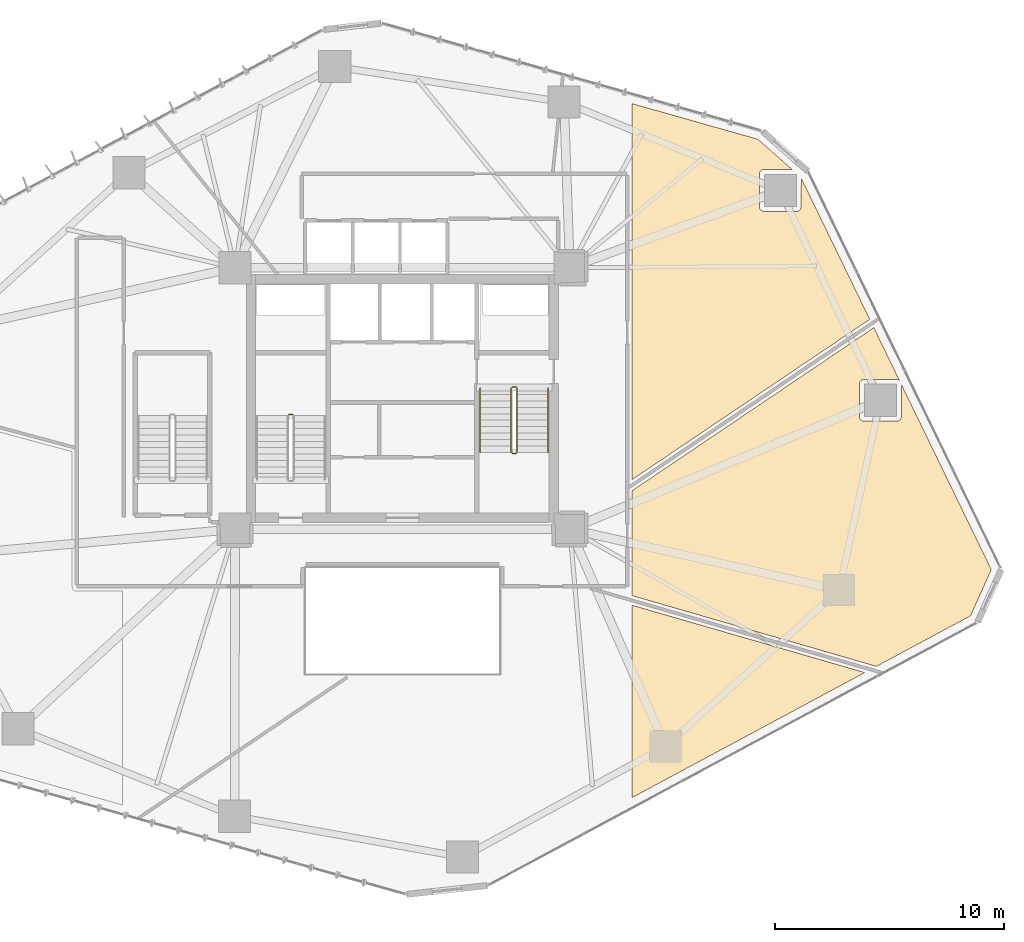
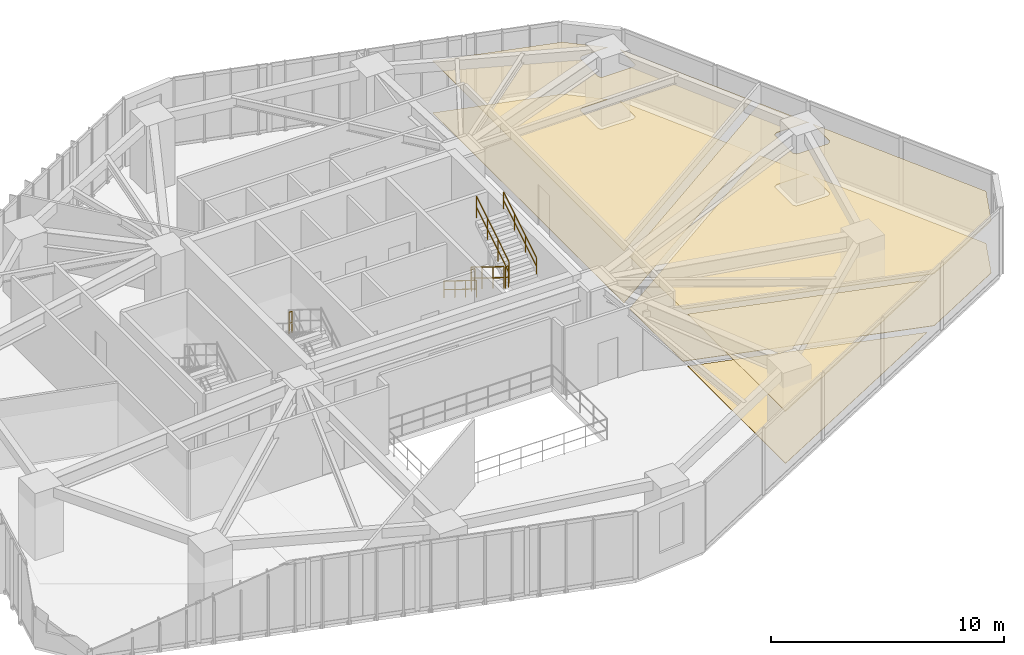
# One storey, part 23 of 24: 7 railings, 6 coverings.
"""IFC4 building model written with IfcOpenShell, lengths in metres."""

from ifc_helpers import new_model, si_unit, direction, frame, origin, origin_2d, place, context, subcontext, project, spatial, polyline, circle, outline, extrude, material, layer, layer_set, type_object, element, save


model = new_model("IFC4")

# Units and contexts
model_context = context("Model", 3, precision=1e-05, world=origin(), true_north=direction((0.0, 1.0)))
body_context = subcontext(model_context, "Body", "Model", "MODEL_VIEW")
ifc_project = project(units=[si_unit("LENGTHUNIT", "METRE"), si_unit("AREAUNIT", "SQUARE_METRE"), si_unit("VOLUMEUNIT", "CUBIC_METRE"), si_unit("PLANEANGLEUNIT", "RADIAN"), si_unit("MASSUNIT", "GRAM", prefix="KILO")], contexts=[model_context])

# Site, building, storey
site_placement = place(None, origin())
site = spatial("IfcSite", under=ifc_project, at=site_placement, CompositionType="ELEMENT")
building_placement = place(site_placement, origin())
building = spatial("IfcBuilding", under=site, at=building_placement, Name="Talar Marvaseh", CompositionType="ELEMENT")
storey_placement = place(building_placement, frame((0.0, 0.0, 43.0)))
storey = spatial("IfcBuildingStorey", under=building, at=storey_placement, Name="L10", CompositionType="ELEMENT", Elevation=43.0)

# Railings
ifc_material_1 = material(Name="Stainless Steel Grade 316", Category="steel")
railing_type_1 = type_object("IfcRailingType", Name="Brushed Stainless Wall Pitch Handrail 900", PredefinedType="HANDRAIL", material=ifc_material_1)
railing_1_placement = place(storey_placement, frame((29.389892578125, 31.64990234375, 0.172607421875)))
element("IfcRailing", 1, at=railing_1_placement, inside=storey, type_object=railing_type_1, Name="L10 ST-2 stair handrail 1", PredefinedType="HANDRAIL", context=body_context, shape_type="SweptSolid", body=[
    extrude(circle(Radius=0.02392578125, at=origin_2d()), frame((0.0, 0.0, 0.8759765625), z_axis=(0.0, -0.851069175582, 0.525053576669), x_axis=(1.0, 0.0, 0.0)), (0.0, 0.0, 1.0), 3.289794921875),
    extrude(circle(Radius=0.02392578125, at=origin_2d()), frame((0.0, 0.0, 0.42578125), z_axis=(0.0, -0.851069175582, 0.525053576669), x_axis=(1.0, 0.0, 0.0)), (0.0, 0.0, 1.0), 3.289794921875),
    extrude(circle(Radius=0.02099609375, at=origin_2d()), origin(), (0.0, 0.0, 1.0), 0.851806640625),
    extrude(circle(Radius=0.02099609375, at=origin_2d()), frame((0.0, -0.933349609375, 0.57568359375)), (0.0, 0.0, 1.0), 0.851806640625),
    extrude(circle(Radius=0.02099609375, at=origin_2d()), frame((0.0, -1.866455078125, 1.151611328125)), (0.0, 0.0, 1.0), 0.851806640625),
    extrude(circle(Radius=0.02099609375, at=origin_2d()), frame((0.0, -2.7998046875, 1.727294921875)), (0.0, 0.0, 1.0), 0.851806640625),
])
railing_2_placement = place(storey_placement, frame((32.35009765625, 28.85009765625, 2.07275390625)))
element("IfcRailing", 2, at=railing_2_placement, inside=storey, type_object=railing_type_1, Name="L10 ST-2 stair handrail 2", PredefinedType="HANDRAIL", context=body_context, shape_type="SweptSolid", body=[
    extrude(circle(Radius=0.02392578125, at=origin_2d()), frame((0.0, 0.0, 0.8759765625), z_axis=(0.0, 0.851069175582, 0.525053576669), x_axis=(-1.0, 0.0, 0.0)), (0.0, 0.0, 1.0), 3.289794921875),
    extrude(circle(Radius=0.02392578125, at=origin_2d()), frame((0.0, 0.0, 0.42578125), z_axis=(0.0, 0.851069175582, 0.525053576669), x_axis=(-1.0, 0.0, 0.0)), (0.0, 0.0, 1.0), 3.289794921875),
    extrude(circle(Radius=0.02099609375, at=origin_2d()), origin(), (0.0, 0.0, 1.0), 0.851806640625),
    extrude(circle(Radius=0.02099609375, at=origin_2d()), frame((0.0, 0.933349609375, 0.57568359375)), (0.0, 0.0, 1.0), 0.851806640625),
    extrude(circle(Radius=0.02099609375, at=origin_2d()), frame((0.0, 1.866455078125, 1.151611328125)), (0.0, 0.0, 1.0), 0.851806640625),
    extrude(circle(Radius=0.02099609375, at=origin_2d()), frame((0.0, 2.7998046875, 1.727294921875)), (0.0, 0.0, 1.0), 0.851806640625),
])
railing_type_2 = type_object("IfcRailingType", Name="Painted Steel Core Stair Well Guardrail 1150", PredefinedType="GUARDRAIL", material=ifc_material_1)
railing_3_placement = place(storey_placement, frame((21.2099609375, 30.5, 1.89990234375)))
element("IfcRailing", 3, at=railing_3_placement, inside=storey, type_object=railing_type_2, Name="L10 ST-1 stair guard 2", PredefinedType="GUARDRAIL", context=body_context, shape_type="SweptSolid", body=[
    extrude(circle(Radius=0.02392578125, at=origin_2d()), frame((0.0, 0.0, 1.1259765625), z_axis=(-1.0, 0.0, 0.0), x_axis=(0.0, -1.0, 0.0)), (0.0, 0.0, 1.0), 0.159912109375),
    extrude(circle(Radius=0.02392578125, at=origin_2d()), frame((0.0, 0.0, 0.55078125), z_axis=(-1.0, 0.0, 0.0), x_axis=(0.0, -1.0, 0.0)), (0.0, 0.0, 1.0), 0.159912109375),
    extrude(circle(Radius=0.02099609375, at=origin_2d()), origin(), (0.0, 0.0, 1.0), 1.101806640625),
    extrude(circle(Radius=0.02099609375, at=origin_2d()), frame((-0.159912109375, 0.0, 0.0)), (0.0, 0.0, 1.0), 1.101806640625),
])
railing_4_placement = place(storey_placement, frame((30.739990234375, 31.64990234375, 0.172607421875)))
element("IfcRailing", 4, at=railing_4_placement, inside=storey, type_object=railing_type_2, Name="L10 ST-2 stair guard 1", PredefinedType="GUARDRAIL", context=body_context, shape_type="SweptSolid", body=[
    extrude(circle(Radius=0.02392578125, at=origin_2d()), frame((0.0, 0.0, 1.1259765625), z_axis=(0.0, -0.851069175582, 0.525053576669), x_axis=(1.0, 0.0, 0.0)), (0.0, 0.0, 1.0), 3.289794921875),
    extrude(circle(Radius=0.02392578125, at=origin_2d()), frame((0.0, 0.0, 0.55078125), z_axis=(0.0, -0.851069175582, 0.525053576669), x_axis=(1.0, 0.0, 0.0)), (0.0, 0.0, 1.0), 3.289794921875),
    extrude(circle(Radius=0.02099609375, at=origin_2d()), origin(), (0.0, 0.0, 1.0), 1.101806640625),
    extrude(circle(Radius=0.02099609375, at=origin_2d()), frame((0.0, -0.933349609375, 0.57568359375)), (0.0, 0.0, 1.0), 1.101806640625),
    extrude(circle(Radius=0.02099609375, at=origin_2d()), frame((0.0, -1.866455078125, 1.151611328125)), (0.0, 0.0, 1.0), 1.101806640625),
    extrude(circle(Radius=0.02099609375, at=origin_2d()), frame((0.0, -2.7998046875, 1.727294921875)), (0.0, 0.0, 1.0), 1.101806640625),
])
railing_5_placement = place(storey_placement, frame((30.7900390625, 28.800048828125, 1.89990234375)))
element("IfcRailing", 5, at=railing_5_placement, inside=storey, type_object=railing_type_2, Name="L10 ST-2 stair guard 2", PredefinedType="GUARDRAIL", context=body_context, shape_type="SweptSolid", body=[
    extrude(circle(Radius=0.02392578125, at=origin_2d()), frame((0.0, 0.0, 1.1259765625), z_axis=(1.0, 0.0, 0.0), x_axis=(0.0, 1.0, 0.0)), (0.0, 0.0, 1.0), 0.159912109375),
    extrude(circle(Radius=0.02392578125, at=origin_2d()), frame((0.0, 0.0, 0.55078125), z_axis=(1.0, 0.0, 0.0), x_axis=(0.0, 1.0, 0.0)), (0.0, 0.0, 1.0), 0.159912109375),
    extrude(circle(Radius=0.02099609375, at=origin_2d()), origin(), (0.0, 0.0, 1.0), 1.101806640625),
    extrude(circle(Radius=0.02099609375, at=origin_2d()), frame((0.159912109375, 0.0, 0.0)), (0.0, 0.0, 1.0), 1.101806640625),
])
railing_6_placement = place(storey_placement, frame((31.0, 28.85009765625, 2.07275390625)))
element("IfcRailing", 6, at=railing_6_placement, inside=storey, type_object=railing_type_2, Name="L10 ST-2 stair guard 3", PredefinedType="GUARDRAIL", context=body_context, shape_type="SweptSolid", body=[
    extrude(circle(Radius=0.02392578125, at=origin_2d()), frame((0.0, 0.0, 1.1259765625), z_axis=(0.0, 0.851069175582, 0.525053576669), x_axis=(-1.0, 0.0, 0.0)), (0.0, 0.0, 1.0), 3.289794921875),
    extrude(circle(Radius=0.02392578125, at=origin_2d()), frame((0.0, 0.0, 0.55078125), z_axis=(0.0, 0.851069175582, 0.525053576669), x_axis=(-1.0, 0.0, 0.0)), (0.0, 0.0, 1.0), 3.289794921875),
    extrude(circle(Radius=0.02099609375, at=origin_2d()), origin(), (0.0, 0.0, 1.0), 1.101806640625),
    extrude(circle(Radius=0.02099609375, at=origin_2d()), frame((0.0, 0.933349609375, 0.57568359375)), (0.0, 0.0, 1.0), 1.101806640625),
    extrude(circle(Radius=0.02099609375, at=origin_2d()), frame((0.0, 1.866455078125, 1.151611328125)), (0.0, 0.0, 1.0), 1.101806640625),
    extrude(circle(Radius=0.02099609375, at=origin_2d()), frame((0.0, 2.7998046875, 1.727294921875)), (0.0, 0.0, 1.0), 1.101806640625),
])
railing_7_placement = place(storey_placement, frame((30.7900390625, 31.699951171875, 0.0)))
element("IfcRailing", 7, at=railing_7_placement, inside=storey, type_object=railing_type_2, Name="L10 ST-2 stair guard 4", PredefinedType="GUARDRAIL", context=body_context, shape_type="SweptSolid", body=[
    extrude(circle(Radius=0.02392578125, at=origin_2d()), frame((0.0, 0.0, 1.1259765625), z_axis=(1.0, 0.0, 0.0), x_axis=(0.0, 1.0, 0.0)), (0.0, 0.0, 1.0), 0.159912109375),
    extrude(circle(Radius=0.02392578125, at=origin_2d()), frame((0.0, 0.0, 0.55078125), z_axis=(1.0, 0.0, 0.0), x_axis=(0.0, 1.0, 0.0)), (0.0, 0.0, 1.0), 0.159912109375),
    extrude(circle(Radius=0.02099609375, at=origin_2d()), origin(), (0.0, 0.0, 1.0), 1.101806640625),
    extrude(circle(Radius=0.02099609375, at=origin_2d()), frame((0.159912109375, 0.0, 0.0)), (0.0, 0.0, 1.0), 1.101806640625),
])

# Coverings
ifc_material_2 = material(Name="Mineral Fibre Acoustic Ceiling")
ifc_layer_1 = layer(ifc_material_2, 0.02490234375)
ifc_layer_set_1 = layer_set([ifc_layer_1], Name="Mineral Fibre Acoustic Ceiling")
covering_type_1 = type_object("IfcCoveringType", Name="Perforated Mineral Fibre Acoustic Suspended Ceiling", PredefinedType="CEILING", material=ifc_layer_set_1)
covering_1_placement = place(storey_placement, frame((0.0, 0.0, 2.719970703125)))
element("IfcCovering", 8, at=covering_1_placement, inside=storey, type_object=covering_type_1, Name="L10 Seminar Room Acoustic Ceiling", PredefinedType="CEILING", context=body_context, shape_type="SweptSolid", body=[
    extrude(outline(polyline([(36.0, 13.785400390625), (36.0, 22.1865234375), (46.16357421875, 19.244384765625), (36.0, 13.785400390625)])), origin(), (0.0, 0.0, 1.0), 0.025146484375),
])
covering_2_placement = place(storey_placement, frame((0.0, 0.0, 2.719970703125)))
element("IfcCovering", 9, at=covering_2_placement, inside=storey, type_object=covering_type_1, Name="L10 Main Reading Room Acoustic Ceiling", PredefinedType="CEILING", context=body_context, shape_type="SweptSolid", body=[
    extrude(outline(polyline([(47.645751953125, 32.00439453125), (47.629638671875, 32.01318359375), (47.61279296875, 32.020751953125), (47.59521484375, 32.026611328125), (47.5771484375, 32.03076171875), (47.558837890625, 32.033203125), (47.540283203125, 32.033935546875), (46.1298828125, 32.029541015625), (46.110107421875, 32.028564453125), (46.0908203125, 32.025634765625), (46.072021484375, 32.020751953125), (46.053466796875, 32.01416015625), (46.03564453125, 32.005859375), (46.01904296875, 31.99560546875), (46.00341796875, 31.98388671875), (45.98876953125, 31.970703125), (45.9755859375, 31.956298828125), (45.964111328125, 31.9404296875), (45.953857421875, 31.923583984375), (45.945556640625, 31.906005859375), (45.93896484375, 31.887451171875), (45.93408203125, 31.868408203125), (45.931396484375, 31.84912109375), (45.930419921875, 31.82958984375), (45.930419921875, 30.408447265625), (45.931396484375, 30.388916015625), (45.93408203125, 30.369384765625), (45.93896484375, 30.350341796875), (45.945556640625, 30.331787109375), (45.9541015625, 30.314208984375), (45.964111328125, 30.29736328125), (45.975830078125, 30.281494140625), (45.989013671875, 30.26708984375), (46.00341796875, 30.25390625), (46.019287109375, 30.2421875), (46.0361328125, 30.23193359375), (46.053955078125, 30.2236328125), (46.072265625, 30.217041015625), (46.09130859375, 30.212158203125), (46.11083984375, 30.20947265625), (46.13037109375, 30.20849609375), (47.551513671875, 30.20849609375), (47.5712890625, 30.20947265625), (47.590576171875, 30.212158203125), (47.609619140625, 30.217041015625), (47.6279296875, 30.2236328125), (47.645751953125, 30.23193359375), (47.66259765625, 30.241943359375), (47.67822265625, 30.253662109375), (47.69287109375, 30.266845703125), (47.7060546875, 30.28125), (47.7177734375, 30.297119140625), (47.727783203125, 30.313720703125), (47.736083984375, 30.331298828125), (47.742919921875, 30.349853515625), (47.747802734375, 30.368896484375), (47.75048828125, 30.38818359375), (47.751708984375, 30.40771484375), (47.755859375, 31.81396484375), (51.6787109375, 23.736572265625), (50.773681640625, 21.720703125), (46.667236328125, 19.514892578125), (36.0, 22.602783203125), (36.0, 23.0), (36.0, 27.166259765625), (46.555419921875, 34.285888671875), (47.67333984375, 31.983642578125), (47.660888671875, 31.993896484375), (47.645751953125, 32.00439453125)])), origin(), (0.0, 0.0, 1.0), 0.025146484375),
])
covering_3_placement = place(storey_placement, frame((0.0, 0.0, 2.719970703125)))
element("IfcCovering", 10, at=covering_3_placement, inside=storey, type_object=covering_type_1, Name="L10 Colloquium Boardroom Acoustic Ceiling", PredefinedType="CEILING", context=body_context, shape_type="SweptSolid", body=[
    extrude(outline(polyline([(42.997314453125, 41.183349609375), (41.765869140625, 41.1796875), (41.74609375, 41.1787109375), (41.726806640625, 41.175537109375), (41.7080078125, 41.1708984375), (41.689453125, 41.164306640625), (41.671630859375, 41.15576171875), (41.655029296875, 41.145751953125), (41.639404296875, 41.134033203125), (41.624755859375, 41.120849609375), (41.611572265625, 41.106201171875), (41.60009765625, 41.090576171875), (41.58984375, 41.07373046875), (41.58154296875, 41.055908203125), (41.574951171875, 41.03759765625), (41.5703125, 41.0185546875), (41.5673828125, 40.999267578125), (41.56640625, 40.9794921875), (41.56640625, 39.558349609375), (41.5673828125, 39.538818359375), (41.5703125, 39.519287109375), (41.574951171875, 39.500244140625), (41.58154296875, 39.48193359375), (41.590087890625, 39.464111328125), (41.60009765625, 39.447265625), (41.61181640625, 39.431396484375), (41.625, 39.4169921875), (41.639404296875, 39.40380859375), (41.6552734375, 39.39208984375), (41.672119140625, 39.382080078125), (41.68994140625, 39.37353515625), (41.708251953125, 39.366943359375), (41.727294921875, 39.3623046875), (41.746826171875, 39.359375), (41.766357421875, 39.3583984375), (43.1875, 39.3583984375), (43.207275390625, 39.359375), (43.2265625, 39.3623046875), (43.24560546875, 39.366943359375), (43.263916015625, 39.37353515625), (43.28173828125, 39.3818359375), (43.298583984375, 39.39208984375), (43.314208984375, 39.403564453125), (43.328857421875, 39.416748046875), (43.342041015625, 39.431396484375), (43.353759765625, 39.447021484375), (43.36376953125, 39.4638671875), (43.372314453125, 39.4814453125), (43.37890625, 39.5), (43.3837890625, 39.518798828125), (43.38671875, 39.5380859375), (43.3876953125, 39.557861328125), (43.391357421875, 40.80078125), (46.37890625, 34.6494140625), (36.0, 27.648681640625), (36.0, 41.0), (36.0, 44.059326171875), (41.501708984375, 42.500732421875), (42.997314453125, 41.183349609375)])), origin(), (0.0, 0.0, 1.0), 0.025146484375),
])
ifc_material_3 = material(Name="Porcelain Stoneware Tile", Category="masonry")
ifc_layer_2 = layer(ifc_material_3, 0.02001953125)
ifc_layer_set_2 = layer_set([ifc_layer_2], Name="Porcelain Stoneware Tile")
covering_type_2 = type_object("IfcCoveringType", Name="Polished Porcelain Stoneware Gallery Flooring", PredefinedType="FLOORING", material=ifc_layer_set_2)
covering_4_placement = place(storey_placement, origin())
element("IfcCovering", 11, at=covering_4_placement, inside=storey, type_object=covering_type_2, Name="L10 Seminar Room Flooring", PredefinedType="FLOORING", context=body_context, shape_type="SweptSolid", body=[
    extrude(outline(polyline([(36.0, 13.785400390625), (36.0, 22.1865234375), (46.16357421875, 19.244384765625), (36.0, 13.785400390625)])), origin(), (0.0, 0.0, 1.0), 0.02001953125),
])
covering_5_placement = place(storey_placement, origin())
element("IfcCovering", 12, at=covering_5_placement, inside=storey, type_object=covering_type_2, Name="L10 Main Reading Room Flooring", PredefinedType="FLOORING", context=body_context, shape_type="SweptSolid", body=[
    extrude(outline(polyline([(47.645751953125, 32.00439453125), (47.629638671875, 32.01318359375), (47.61279296875, 32.020751953125), (47.59521484375, 32.026611328125), (47.5771484375, 32.03076171875), (47.558837890625, 32.033203125), (47.540283203125, 32.033935546875), (46.1298828125, 32.029541015625), (46.110107421875, 32.028564453125), (46.0908203125, 32.025634765625), (46.072021484375, 32.020751953125), (46.053466796875, 32.01416015625), (46.03564453125, 32.005859375), (46.01904296875, 31.99560546875), (46.00341796875, 31.98388671875), (45.98876953125, 31.970703125), (45.9755859375, 31.956298828125), (45.964111328125, 31.9404296875), (45.953857421875, 31.923583984375), (45.945556640625, 31.906005859375), (45.93896484375, 31.887451171875), (45.93408203125, 31.868408203125), (45.931396484375, 31.84912109375), (45.930419921875, 31.82958984375), (45.930419921875, 30.408447265625), (45.931396484375, 30.388916015625), (45.93408203125, 30.369384765625), (45.93896484375, 30.350341796875), (45.945556640625, 30.331787109375), (45.9541015625, 30.314208984375), (45.964111328125, 30.29736328125), (45.975830078125, 30.281494140625), (45.989013671875, 30.26708984375), (46.00341796875, 30.25390625), (46.019287109375, 30.2421875), (46.0361328125, 30.23193359375), (46.053955078125, 30.2236328125), (46.072265625, 30.217041015625), (46.09130859375, 30.212158203125), (46.11083984375, 30.20947265625), (46.13037109375, 30.20849609375), (47.551513671875, 30.20849609375), (47.5712890625, 30.20947265625), (47.590576171875, 30.212158203125), (47.609619140625, 30.217041015625), (47.6279296875, 30.2236328125), (47.645751953125, 30.23193359375), (47.66259765625, 30.241943359375), (47.67822265625, 30.253662109375), (47.69287109375, 30.266845703125), (47.7060546875, 30.28125), (47.7177734375, 30.297119140625), (47.727783203125, 30.313720703125), (47.736083984375, 30.331298828125), (47.742919921875, 30.349853515625), (47.747802734375, 30.368896484375), (47.75048828125, 30.38818359375), (47.751708984375, 30.40771484375), (47.755859375, 31.81396484375), (51.6787109375, 23.736572265625), (50.773681640625, 21.720703125), (46.667236328125, 19.514892578125), (36.0, 22.602783203125), (36.0, 23.0), (36.0, 27.166259765625), (46.555419921875, 34.285888671875), (47.67333984375, 31.983642578125), (47.660888671875, 31.993896484375), (47.645751953125, 32.00439453125)])), origin(), (0.0, 0.0, 1.0), 0.02001953125),
])
covering_6_placement = place(storey_placement, origin())
element("IfcCovering", 13, at=covering_6_placement, inside=storey, type_object=covering_type_2, Name="L10 Colloquium Boardroom Flooring", PredefinedType="FLOORING", context=body_context, shape_type="SweptSolid", body=[
    extrude(outline(polyline([(42.997314453125, 41.183349609375), (41.765869140625, 41.1796875), (41.74609375, 41.1787109375), (41.726806640625, 41.175537109375), (41.7080078125, 41.1708984375), (41.689453125, 41.164306640625), (41.671630859375, 41.15576171875), (41.655029296875, 41.145751953125), (41.639404296875, 41.134033203125), (41.624755859375, 41.120849609375), (41.611572265625, 41.106201171875), (41.60009765625, 41.090576171875), (41.58984375, 41.07373046875), (41.58154296875, 41.055908203125), (41.574951171875, 41.03759765625), (41.5703125, 41.0185546875), (41.5673828125, 40.999267578125), (41.56640625, 40.9794921875), (41.56640625, 39.558349609375), (41.5673828125, 39.538818359375), (41.5703125, 39.519287109375), (41.574951171875, 39.500244140625), (41.58154296875, 39.48193359375), (41.590087890625, 39.464111328125), (41.60009765625, 39.447265625), (41.61181640625, 39.431396484375), (41.625, 39.4169921875), (41.639404296875, 39.40380859375), (41.6552734375, 39.39208984375), (41.672119140625, 39.382080078125), (41.68994140625, 39.37353515625), (41.708251953125, 39.366943359375), (41.727294921875, 39.3623046875), (41.746826171875, 39.359375), (41.766357421875, 39.3583984375), (43.1875, 39.3583984375), (43.207275390625, 39.359375), (43.2265625, 39.3623046875), (43.24560546875, 39.366943359375), (43.263916015625, 39.37353515625), (43.28173828125, 39.3818359375), (43.298583984375, 39.39208984375), (43.314208984375, 39.403564453125), (43.328857421875, 39.416748046875), (43.342041015625, 39.431396484375), (43.353759765625, 39.447021484375), (43.36376953125, 39.4638671875), (43.372314453125, 39.4814453125), (43.37890625, 39.5), (43.3837890625, 39.518798828125), (43.38671875, 39.5380859375), (43.3876953125, 39.557861328125), (43.391357421875, 40.80078125), (46.37890625, 34.6494140625), (36.0, 27.648681640625), (36.0, 41.0), (36.0, 44.059326171875), (41.501708984375, 42.500732421875), (42.997314453125, 41.183349609375)])), origin(), (0.0, 0.0, 1.0), 0.02001953125),
])

save(model, "model.ifc")
